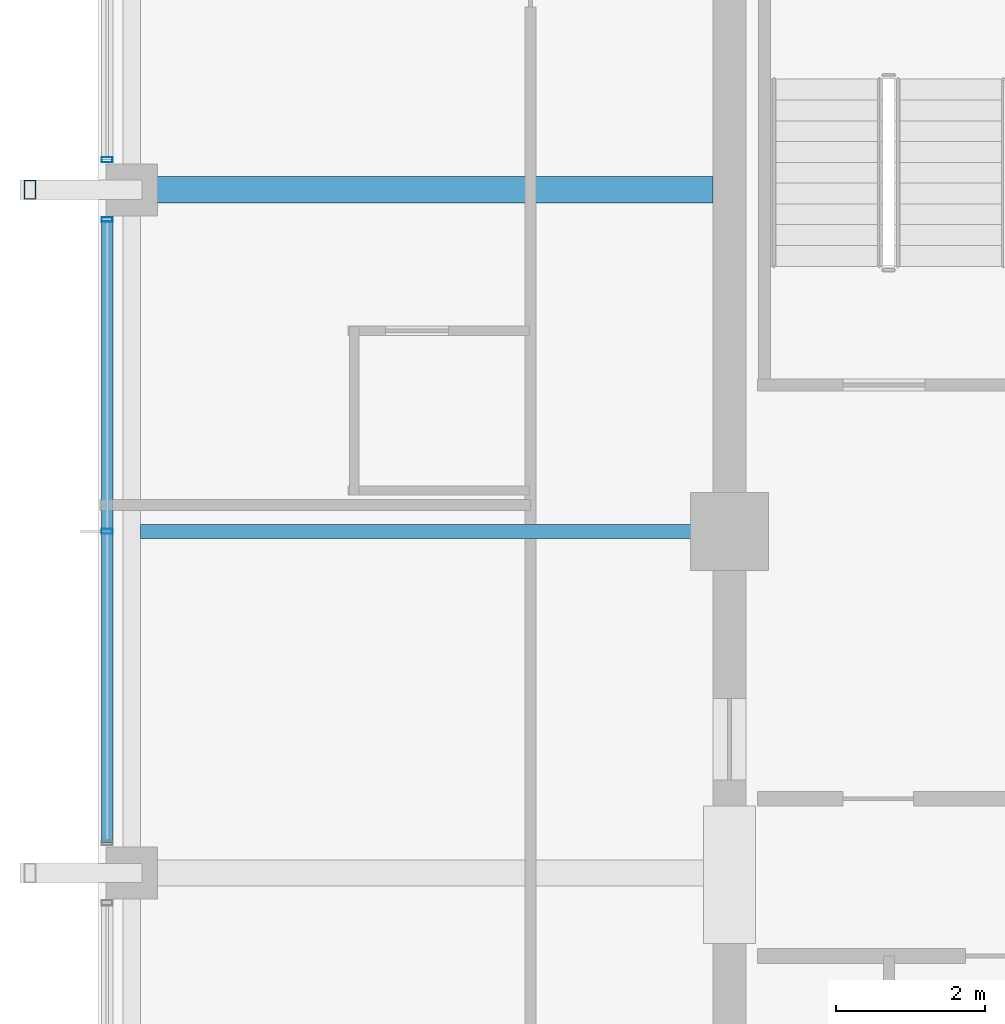
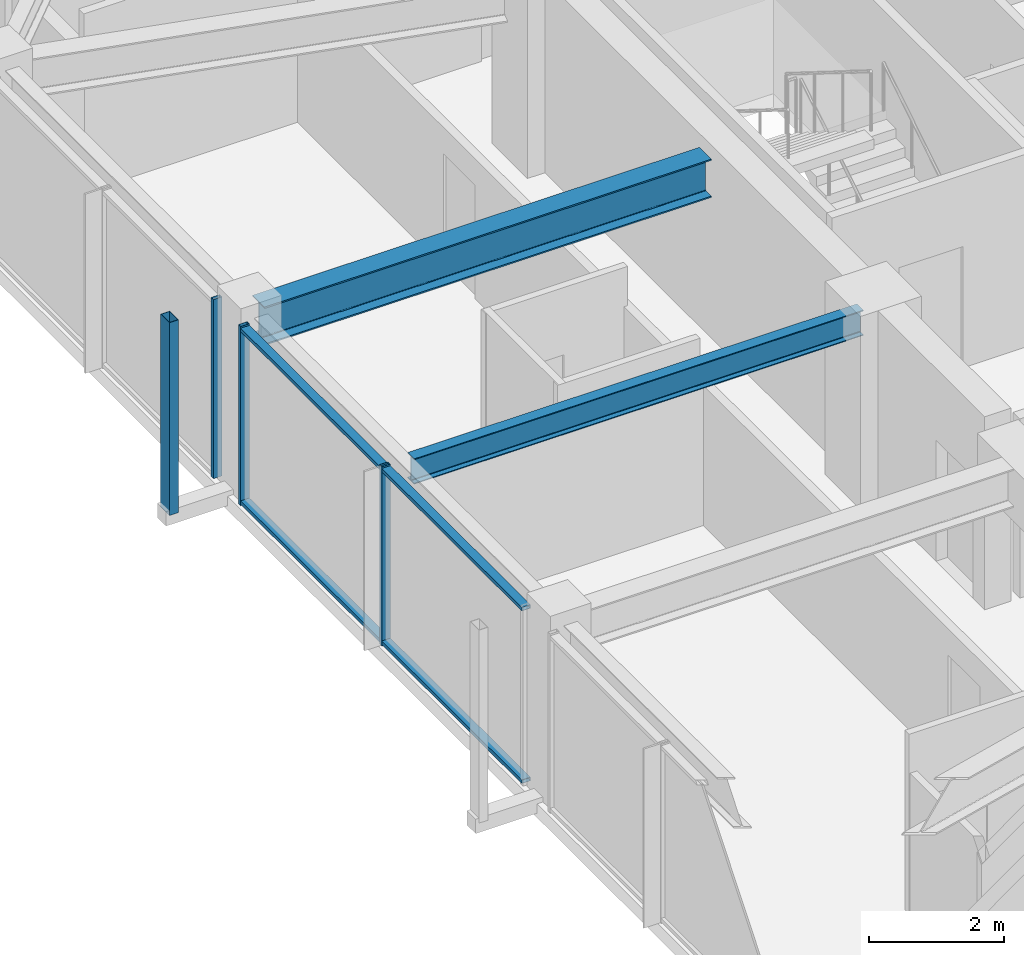
# One storey, part 8 of 29: 6 members, 2 beams, 2 elements without a shape of their own.
"""IFC4 building model written with IfcOpenShell, lengths in metres."""

from ifc_helpers import new_model, si_unit, direction, frame, origin, origin_2d, place, context, subcontext, project, spatial, hollow_rectangle, i_section, extrude, material, material_profile, profile_set, type_object, element, aggregate, save


model = new_model("IFC4")

# Units and contexts
model_context = context("Model", 3, precision=1e-05, world=origin(), true_north=direction((0.0, 1.0)))
body_context = subcontext(model_context, "Body", "Model", "MODEL_VIEW")
ifc_project = project(units=[si_unit("LENGTHUNIT", "METRE"), si_unit("AREAUNIT", "SQUARE_METRE"), si_unit("VOLUMEUNIT", "CUBIC_METRE"), si_unit("PLANEANGLEUNIT", "RADIAN"), si_unit("MASSUNIT", "GRAM", prefix="KILO")], contexts=[model_context])

# Site, building, storey
site_placement = place(None, origin())
site = spatial("IfcSite", under=ifc_project, at=site_placement, CompositionType="ELEMENT")
building_placement = place(site_placement, origin())
building = spatial("IfcBuilding", under=site, at=building_placement, Name="Kolvaren Belvedere", CompositionType="ELEMENT")
storey_placement = place(building_placement, frame((0.0, 0.0, 244.39990234375)))
storey = spatial("IfcBuildingStorey", under=building, at=storey_placement, Name="L71", CompositionType="ELEMENT", Elevation=244.39990234375)

# Beams
ifc_material_1 = material(Name="Structural steel ASTM A992 Grade 50", Category="steel")
ifc_material_profile_1 = material_profile(ifc_material_1, i_section(OverallWidth=0.35498046875, OverallDepth=0.696044921875, WebThickness=0.015380859375, FlangeThickness=0.02490234375, FilletRadius=0.02197265625, at=origin_2d()), Name="W27X146")
ifc_profile_set_1 = profile_set([ifc_material_profile_1], Name="Structural steel ASTM A992 Grade 50")
beam_type_1 = type_object("IfcBeamType", Name="BM-GIRD-W27X146", PredefinedType="BEAM", material=ifc_profile_set_1)
beam_1_placement = place(storey_placement, frame((-10.125, 4.60009765625, 2.902099609375), z_axis=(-1.0, 0.0, 0.0), x_axis=(0.0, -1.0, 0.0)))
element("IfcBeam", 1, at=beam_1_placement, inside=storey, type_object=beam_type_1, Name="L71 West Radial Girder P", PredefinedType="BEAM", context=body_context, shape_type="SweptSolid", body=[
    extrude(i_section(OverallWidth=0.35498046875, OverallDepth=0.696044921875, WebThickness=0.015380859375, FlangeThickness=0.02490234375, FilletRadius=0.02197265625, at=origin_2d()), origin(), (0.0, 0.0, 1.0), 7.66748046875),
])
ifc_material_2 = material(Name="Structural steel ASTM A992 Grade 50", Category="steel")
ifc_material_profile_2 = material_profile(ifc_material_2, i_section(OverallWidth=0.19091796875, OverallDepth=0.4599609375, WebThickness=0.010009765625, FlangeThickness=0.01611328125, FilletRadius=0.014892578125, at=origin_2d()), Name="W18X55")
ifc_profile_set_2 = profile_set([ifc_material_profile_2], Name="Structural steel ASTM A992 Grade 50")
beam_type_2 = type_object("IfcBeamType", Name="BM-JOIST-W18X55", PredefinedType="BEAM", material=ifc_profile_set_2)
beam_2_placement = place(storey_placement, frame((-10.125, 0.0, 3.02001953125), z_axis=(-1.0, 0.0, 0.0), x_axis=(0.0, -1.0, 0.0)))
element("IfcBeam", 2, at=beam_2_placement, inside=storey, type_object=beam_type_2, Name="L71 West Centre Floor Beam", PredefinedType="BEAM", context=body_context, shape_type="SweptSolid", body=[
    extrude(i_section(OverallWidth=0.19091796875, OverallDepth=0.4599609375, WebThickness=0.010009765625, FlangeThickness=0.01611328125, FilletRadius=0.014892578125, at=origin_2d()), origin(), (0.0, 0.0, 1.0), 7.71044921875),
])

# Curtain wall, members
ifc_material_3 = material(Name="Anodised pale-metal aluminium AA 6063-T6", Category="aluminium")
curtain_wall_type = type_object("IfcCurtainWallType", Name="CW-Z5-HIGH", PredefinedType="NOTDEFINED", material=ifc_material_3)
curtain_wall_1_placement = place(storey_placement, origin())
curtain_wall_1 = element("IfcCurtainWall", 3, at=curtain_wall_1_placement, inside=storey, type_object=curtain_wall_type, Name="L71 Unitised Curtain Wall FCW-L71-W-B2", PredefinedType="NOTDEFINED")
ifc_material_4 = material(Name="Anodised pale-metal aluminium AA 6063-T6", Category="aluminium")
ifc_material_profile_3 = material_profile(ifc_material_4, hollow_rectangle(XDim=0.070068359375, YDim=0.14990234375, WallThickness=0.004150390625, at=origin_2d()), Name="ALU-MUL-150X70")
ifc_profile_set_3 = profile_set([ifc_material_profile_3], Name="Anodised pale-metal aluminium AA 6063-T6")
member_type_1 = type_object("IfcMemberType", Name="CW-MUL-150", PredefinedType="MULLION", material=ifc_profile_set_3)
member_1_placement = place(storey_placement, frame((-18.280029296875, 0.0, 0.0), z_axis=(0.0, 0.0, 1.0), x_axis=(0.0, 1.0, 0.0)))
member_1 = element("IfcMember", 4, at=member_1_placement, type_object=member_type_1, Name="FCW-L71-W-B2 Unitised Mullion 2", PredefinedType="MULLION", context=body_context, shape_type="SweptSolid", body=[
    extrude(hollow_rectangle(XDim=0.070068359375, YDim=0.14990234375, WallThickness=0.004150390625, at=origin_2d()), origin(), (0.0, 0.0, 1.0), 3.25),
])
member_2_placement = place(storey_placement, frame((-18.280029296875, 4.195068359375, 0.0), z_axis=(0.0, 0.0, 1.0), x_axis=(0.0, 1.0, 0.0)))
member_2 = element("IfcMember", 5, at=member_2_placement, type_object=member_type_1, Name="FCW-L71-W-B2 Unitised Mullion 3", PredefinedType="MULLION", context=body_context, shape_type="SweptSolid", body=[
    extrude(hollow_rectangle(XDim=0.070068359375, YDim=0.14990234375, WallThickness=0.004150390625, at=origin_2d()), origin(), (0.0, 0.0, 1.0), 3.25),
])

# Curtain wall, member
curtain_wall_2_placement = place(storey_placement, origin())
curtain_wall_2 = element("IfcCurtainWall", 6, at=curtain_wall_2_placement, inside=storey, type_object=curtain_wall_type, Name="L71 Unitised Curtain Wall FCW-L71-W-B3", PredefinedType="NOTDEFINED")
member_3_placement = place(storey_placement, frame((-18.280029296875, 5.0048828125, 0.0), z_axis=(0.0, 0.0, 1.0), x_axis=(0.0, 1.0, 0.0)))
member_3 = element("IfcMember", 7, at=member_3_placement, type_object=member_type_1, Name="FCW-L71-W-B3 Unitised Mullion 1", PredefinedType="MULLION", context=body_context, shape_type="SweptSolid", body=[
    extrude(hollow_rectangle(XDim=0.070068359375, YDim=0.14990234375, WallThickness=0.004150390625, at=origin_2d()), origin(), (0.0, 0.0, 1.0), 3.25),
])
aggregate(curtain_wall_2, [member_3])

# Member
ifc_material_5 = material(Name="Anodised pale-metal aluminium AA 6063-T6", Category="aluminium")
ifc_material_profile_4 = material_profile(ifc_material_5, hollow_rectangle(XDim=0.06494140625, YDim=0.14990234375, WallThickness=0.00390625, at=origin_2d()), Name="ALU-TRN-150X65")
ifc_profile_set_4 = profile_set([ifc_material_profile_4], Name="Anodised pale-metal aluminium AA 6063-T6")
member_type_2 = type_object("IfcMemberType", Name="CW-TRN-150", PredefinedType="USERDEFINED", material=ifc_profile_set_4)
member_4_placement = place(storey_placement, frame((-18.280029296875, -4.195068359375, 0.06005859375), z_axis=(0.0, 1.0, 0.0), x_axis=(0.0, 0.0, 1.0)))
member_4 = element("IfcMember", 8, at=member_4_placement, type_object=member_type_2, Name="FCW-L71-W-B2 Sill Transom", ObjectType="TRANSOM", PredefinedType="USERDEFINED", context=body_context, shape_type="SweptSolid", body=[
    extrude(hollow_rectangle(XDim=0.06494140625, YDim=0.14990234375, WallThickness=0.00390625, at=origin_2d()), origin(), (0.0, 0.0, 1.0), 8.39013671875),
])

member_5_placement = place(storey_placement, frame((-18.280029296875, -4.195068359375, 3.190185546875), z_axis=(0.0, 1.0, 0.0), x_axis=(0.0, 0.0, 1.0)))
member_5 = element("IfcMember", 9, at=member_5_placement, type_object=member_type_2, Name="FCW-L71-W-B2 Head Transom", ObjectType="TRANSOM", PredefinedType="USERDEFINED", context=body_context, shape_type="SweptSolid", body=[
    extrude(hollow_rectangle(XDim=0.06494140625, YDim=0.14990234375, WallThickness=0.00390625, at=origin_2d()), origin(), (0.0, 0.0, 1.0), 8.39013671875),
])

aggregate(curtain_wall_1, [member_1, member_2, member_4, member_5])

ifc_material_6 = material(Name="Anodised pale-metal aluminium AA 6063-T6", Category="aluminium")
ifc_material_profile_5 = material_profile(ifc_material_6, hollow_rectangle(XDim=0.159912109375, YDim=0.260009765625, WallThickness=0.006591796875, at=origin_2d()), Name="ALU-PF-260X160")
ifc_profile_set_5 = profile_set([ifc_material_profile_5], Name="Anodised pale-metal aluminium AA 6063-T6")
member_type_3 = type_object("IfcMemberType", Name="PF-FRAME-260", PredefinedType="USERDEFINED", material=ifc_profile_set_5)
member_6_placement = place(storey_placement, frame((-19.320068359375, 4.60009765625, 0.0), z_axis=(0.0, 0.0, 1.0), x_axis=(1.0, 0.0, 0.0)))
element("IfcMember", 10, at=member_6_placement, inside=storey, type_object=member_type_3, Name="L71 Outboard Picture-Frame Vertical W2", ObjectType="PICTURE FRAME FIN", PredefinedType="USERDEFINED", context=body_context, shape_type="SweptSolid", body=[
    extrude(hollow_rectangle(XDim=0.159912109375, YDim=0.260009765625, WallThickness=0.006591796875, at=origin_2d()), origin(), (0.0, 0.0, 1.0), 3.5),
])

save(model, "model.ifc")
